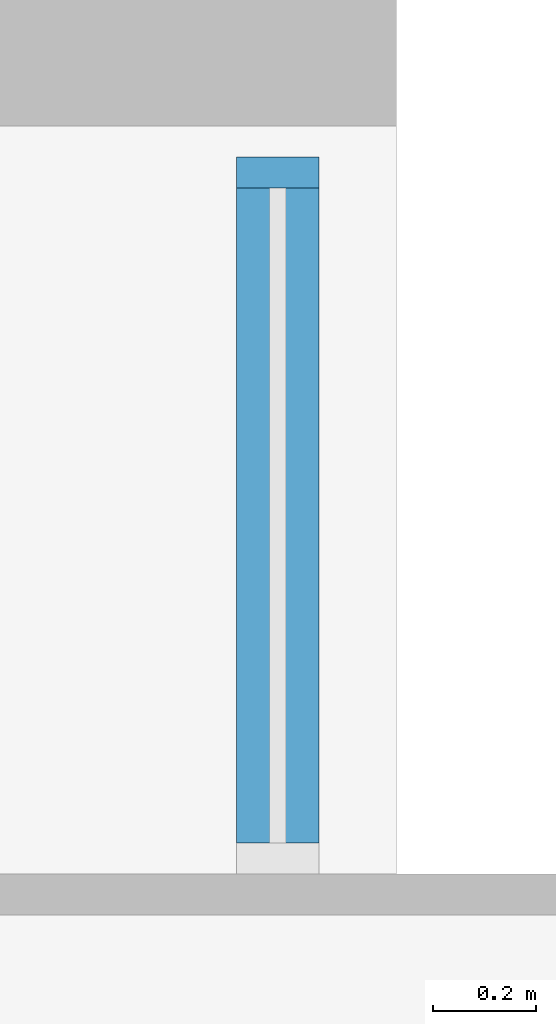
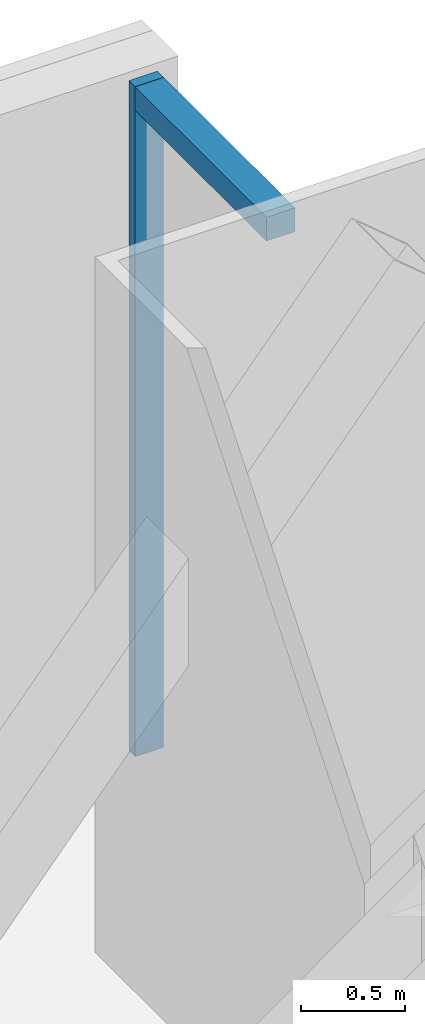
# One storey, part 13 of 21: 2 members, 1 element without a shape of its own.
"""IFC4 building model written with IfcOpenShell, lengths in metres."""

from ifc_helpers import new_model, si_unit, direction, frame, origin, origin_2d, place, context, subcontext, project, spatial, rectangle, extrude, material, material_profile, profile_set, type_object, element, aggregate, save


model = new_model("IFC4")

# Units and contexts
model_context = context("Model", 3, precision=1e-05, world=origin(), true_north=direction((0.0, 1.0)))
body_context = subcontext(model_context, "Body", "Model", "MODEL_VIEW")
ifc_project = project(units=[si_unit("LENGTHUNIT", "METRE"), si_unit("AREAUNIT", "SQUARE_METRE"), si_unit("VOLUMEUNIT", "CUBIC_METRE"), si_unit("PLANEANGLEUNIT", "RADIAN"), si_unit("MASSUNIT", "GRAM", prefix="KILO")], contexts=[model_context])

# Site, building, storey
site_placement = place(None, origin())
site = spatial("IfcSite", under=ifc_project, at=site_placement, CompositionType="ELEMENT")
building_placement = place(site_placement, origin())
building = spatial("IfcBuilding", under=site, at=building_placement, Name="Bicima Exchange Tower", CompositionType="ELEMENT")
storey_placement = place(building_placement, frame((0.0, 0.0, 156.800048828125)))
storey = spatial("IfcBuildingStorey", under=building, at=storey_placement, Name="L34", CompositionType="ELEMENT", Elevation=156.800048828125)

# Curtain wall, members
ifc_material = material(Name="Anodised bronze aluminium", Category="aluminium")
curtain_wall_type = type_object("IfcCurtainWallType", Name="Front glass wall", PredefinedType="NOTDEFINED", material=ifc_material)
curtain_wall_placement = place(storey_placement, origin())
curtain_wall = element("IfcCurtainWall", 1, at=curtain_wall_placement, inside=storey, type_object=curtain_wall_type, Name="Front glass wall L34 run 20", PredefinedType="NOTDEFINED")
ifc_material_profile_1 = material_profile(ifc_material, rectangle(XDim=0.159912109375, YDim=0.06005859375, at=origin_2d()))
ifc_profile_set_1 = profile_set([ifc_material_profile_1], Name="Anodised bronze aluminium")
member_type_1 = type_object("IfcMemberType", Name="Front glass wall mullion 60 x 160", PredefinedType="MULLION", material=ifc_profile_set_1)
member_1_placement = place(storey_placement, frame((32.77001953125, -0.340087890625, 0.0), z_axis=(0.0, 0.0, 1.0), x_axis=(-1.0, 0.0, 0.0)))
member_1 = element("IfcMember", 2, at=member_1_placement, type_object=member_type_1, Name="Front glass wall mullion 2", PredefinedType="MULLION", context=body_context, shape_type="SweptSolid", body=[
    extrude(rectangle(XDim=0.159912109375, YDim=0.06005859375, at=origin_2d()), origin(), (0.0, 0.0, 1.0), 3.949951171875),
])
ifc_material_profile_2 = material_profile(ifc_material, rectangle(XDim=0.159912109375, YDim=0.139892578125, at=origin_2d()))
ifc_profile_set_2 = profile_set([ifc_material_profile_2], Name="Anodised bronze aluminium")
member_type_2 = type_object("IfcMemberType", Name="Front glass wall transom 140 x 160", PredefinedType="USERDEFINED", material=ifc_profile_set_2)
member_2_placement = place(storey_placement, frame((32.77001953125, -1.639892578125, 3.8798828125), z_axis=(0.0, 1.0, 0.0), x_axis=(-1.0, 0.0, 0.0)))
member_2 = element("IfcMember", 3, at=member_2_placement, type_object=member_type_2, Name="Front glass wall transom 1.1", ObjectType="TRANSOM", PredefinedType="USERDEFINED", context=body_context, shape_type="SweptSolid", body=[
    extrude(rectangle(XDim=0.159912109375, YDim=0.139892578125, at=origin_2d()), origin(), (0.0, 0.0, 1.0), 1.269775390625),
])
aggregate(curtain_wall, [member_1, member_2])

save(model, "model.ifc")
